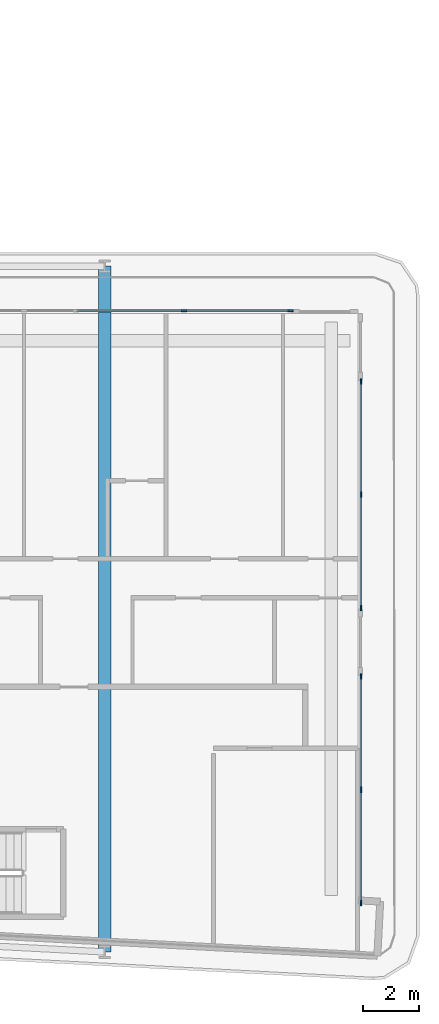
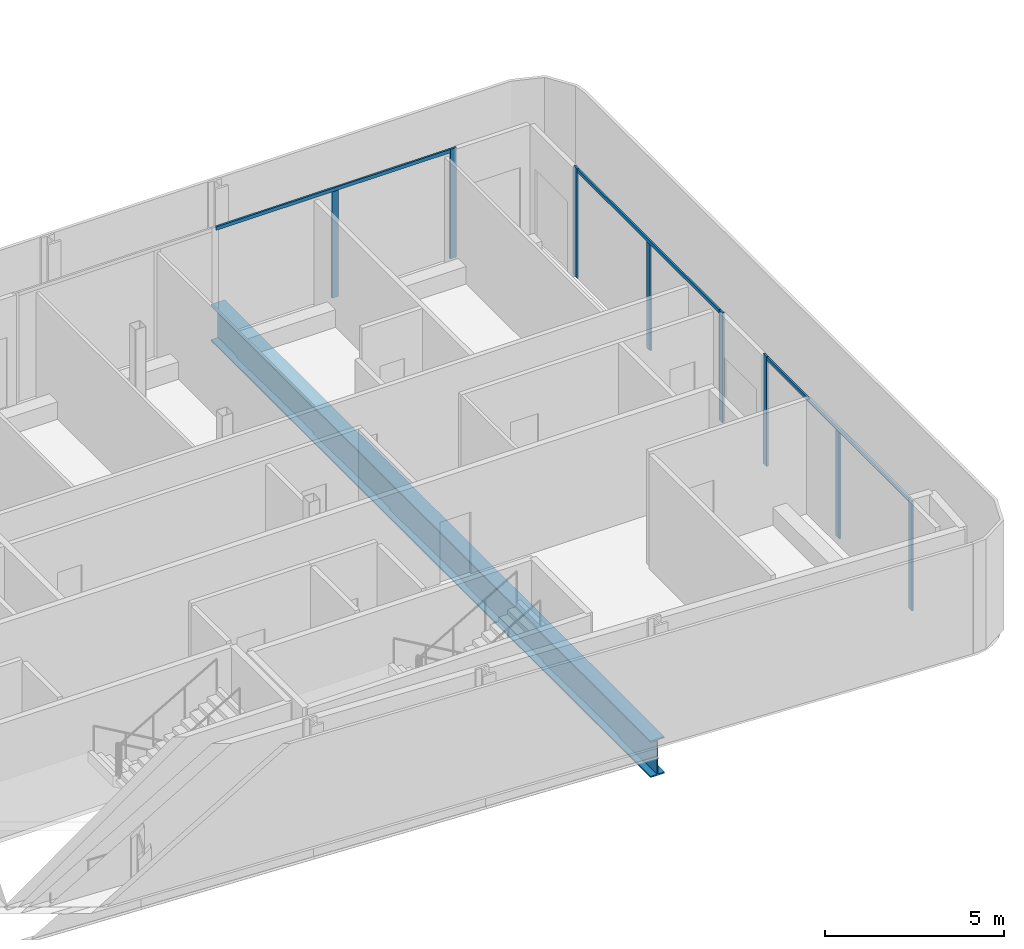
# One storey, part 8 of 27: 11 members, 1 beam, 3 elements without a shape of their own.
"""IFC4 building model written with IfcOpenShell, lengths in metres."""

from ifc_helpers import new_model, si_unit, direction, frame, origin, origin_2d, place, context, subcontext, project, spatial, rectangle, i_section, extrude, material, layer, layer_set, material_profile, profile_set, type_object, element, aggregate, save


model = new_model("IFC4")

# Units and contexts
model_context = context("Model", 3, precision=1e-05, world=origin(), true_north=direction((0.0, 1.0)))
body_context = subcontext(model_context, "Body", "Model", "MODEL_VIEW")
ifc_project = project(units=[si_unit("LENGTHUNIT", "METRE"), si_unit("AREAUNIT", "SQUARE_METRE"), si_unit("VOLUMEUNIT", "CUBIC_METRE"), si_unit("PLANEANGLEUNIT", "RADIAN"), si_unit("MASSUNIT", "GRAM", prefix="KILO")], contexts=[model_context])

# Site, building, storey
site_placement = place(None, origin())
site = spatial("IfcSite", under=ifc_project, at=site_placement, CompositionType="ELEMENT")
building_placement = place(site_placement, origin())
building = spatial("IfcBuilding", under=site, at=building_placement, Name="Kheshtan School and Residences Tower", CompositionType="ELEMENT")
storey_placement = place(building_placement, frame((0.0, 0.0, 98.0)))
storey = spatial("IfcBuildingStorey", under=building, at=storey_placement, Name="L22", CompositionType="ELEMENT", Elevation=98.0)

# Curtain wall, members
ifc_material_1 = material(Name="Clear low-e glass in thermally broken aluminium frame", Category="aluminium")
ifc_layer = layer(ifc_material_1, 0.199951171875)
ifc_layer_set = layer_set([ifc_layer], Name="Curtain wall CW-L")
curtain_wall_type = type_object("IfcCurtainWallType", Name="Curtain wall CW-L", PredefinedType="NOTDEFINED", material=ifc_layer_set)
curtain_wall_1_placement = place(storey_placement, origin())
curtain_wall_1 = element("IfcCurtainWall", 1, at=curtain_wall_1_placement, inside=storey, type_object=curtain_wall_type, Name="Curtain wall CWL8", PredefinedType="NOTDEFINED")
ifc_material_2 = material(Name="Thermally broken aluminium, dark bronze anodised", Category="aluminium")
ifc_material_profile_1 = material_profile(ifc_material_2, rectangle(XDim=0.06005859375, YDim=0.199951171875, at=origin_2d()), Name="CW-L mullion 60x200")
ifc_profile_set_1 = profile_set([ifc_material_profile_1], Name="Thermally broken aluminium, dark bronze anodised")
member_type_1 = type_object("IfcMemberType", Name="CW-L mullion 60x200", PredefinedType="MULLION", material=ifc_profile_set_1)
member_1_placement = place(storey_placement, frame((93.653076171875, 44.0, 0.0), z_axis=(0.0, 0.0, 1.0), x_axis=(0.0, 1.0, 0.0)))
member_1 = element("IfcMember", 2, at=member_1_placement, type_object=member_type_1, Name="CWL8 mullion 2", PredefinedType="MULLION", context=body_context, shape_type="SweptSolid", body=[
    extrude(rectangle(XDim=0.06005859375, YDim=0.199951171875, at=origin_2d()), origin(), (0.0, 0.0, 1.0), 3.6298828125),
])
member_2_placement = place(storey_placement, frame((97.469970703125, 44.0, 0.0), z_axis=(0.0, 0.0, 1.0), x_axis=(0.0, 1.0, 0.0)))
member_2 = element("IfcMember", 3, at=member_2_placement, type_object=member_type_1, Name="CWL8 mullion 3", PredefinedType="MULLION", context=body_context, shape_type="SweptSolid", body=[
    extrude(rectangle(XDim=0.06005859375, YDim=0.199951171875, at=origin_2d()), origin(), (0.0, 0.0, 1.0), 3.75),
])

curtain_wall_2_placement = place(storey_placement, origin())
curtain_wall_2 = element("IfcCurtainWall", 4, at=curtain_wall_2_placement, inside=storey, type_object=curtain_wall_type, Name="Curtain wall CWL9", PredefinedType="NOTDEFINED")
member_3_placement = place(storey_placement, frame((100.0, 41.469970703125, 0.0), z_axis=(0.0, 0.0, 1.0), x_axis=(1.0, 0.0, 0.0)))
member_3 = element("IfcMember", 5, at=member_3_placement, type_object=member_type_1, Name="CWL9 mullion 1", PredefinedType="MULLION", context=body_context, shape_type="SweptSolid", body=[
    extrude(rectangle(XDim=0.06005859375, YDim=0.199951171875, at=origin_2d()), origin(), (0.0, 0.0, 1.0), 3.75),
])
member_4_placement = place(storey_placement, frame((100.0, 37.403564453125, 0.0), z_axis=(0.0, 0.0, 1.0), x_axis=(1.0, 0.0, 0.0)))
member_4 = element("IfcMember", 6, at=member_4_placement, type_object=member_type_1, Name="CWL9 mullion 2", PredefinedType="MULLION", context=body_context, shape_type="SweptSolid", body=[
    extrude(rectangle(XDim=0.06005859375, YDim=0.199951171875, at=origin_2d()), origin(), (0.0, 0.0, 1.0), 3.6298828125),
])
member_5_placement = place(storey_placement, frame((100.0, 33.3369140625, 0.0), z_axis=(0.0, 0.0, 1.0), x_axis=(1.0, 0.0, 0.0)))
member_5 = element("IfcMember", 7, at=member_5_placement, type_object=member_type_1, Name="CWL9 mullion 3", PredefinedType="MULLION", context=body_context, shape_type="SweptSolid", body=[
    extrude(rectangle(XDim=0.06005859375, YDim=0.199951171875, at=origin_2d()), origin(), (0.0, 0.0, 1.0), 3.75),
])

curtain_wall_3_placement = place(storey_placement, origin())
curtain_wall_3 = element("IfcCurtainWall", 8, at=curtain_wall_3_placement, inside=storey, type_object=curtain_wall_type, Name="Curtain wall CWL9", PredefinedType="NOTDEFINED")
member_6_placement = place(storey_placement, frame((100.0, 30.876953125, 0.0), z_axis=(0.0, 0.0, 1.0), x_axis=(1.0, 0.0, 0.0)))
member_6 = element("IfcMember", 9, at=member_6_placement, type_object=member_type_1, Name="CWL9 mullion 1", PredefinedType="MULLION", context=body_context, shape_type="SweptSolid", body=[
    extrude(rectangle(XDim=0.06005859375, YDim=0.199951171875, at=origin_2d()), origin(), (0.0, 0.0, 1.0), 3.75),
])
member_7_placement = place(storey_placement, frame((100.0, 26.810546875, 0.0), z_axis=(0.0, 0.0, 1.0), x_axis=(1.0, 0.0, 0.0)))
member_7 = element("IfcMember", 10, at=member_7_placement, type_object=member_type_1, Name="CWL9 mullion 2", PredefinedType="MULLION", context=body_context, shape_type="SweptSolid", body=[
    extrude(rectangle(XDim=0.06005859375, YDim=0.199951171875, at=origin_2d()), origin(), (0.0, 0.0, 1.0), 3.6298828125),
])
member_8_placement = place(storey_placement, frame((100.0, 22.743896484375, 0.0), z_axis=(0.0, 0.0, 1.0), x_axis=(1.0, 0.0, 0.0)))
member_8 = element("IfcMember", 11, at=member_8_placement, type_object=member_type_1, Name="CWL9 mullion 3", PredefinedType="MULLION", context=body_context, shape_type="SweptSolid", body=[
    extrude(rectangle(XDim=0.06005859375, YDim=0.199951171875, at=origin_2d()), origin(), (0.0, 0.0, 1.0), 3.75),
])

# Member
ifc_material_profile_2 = material_profile(ifc_material_2, rectangle(XDim=0.06005859375, YDim=0.1201171875, at=origin_2d()), Name="CW-L transom 60x120")
ifc_profile_set_2 = profile_set([ifc_material_profile_2], Name="Thermally broken aluminium, dark bronze anodised")
member_type_2 = type_object("IfcMemberType", Name="CW-L transom 60x120", PredefinedType="USERDEFINED", material=ifc_profile_set_2)
member_9_placement = place(storey_placement, frame((89.805908203125, 44.0, 3.68994140625), z_axis=(1.0, 0.0, 0.0), x_axis=(0.0, 1.0, 0.0)))
member_9 = element("IfcMember", 12, at=member_9_placement, type_object=member_type_2, Name="CWL8 transom 1", ObjectType="TRANSOM", PredefinedType="USERDEFINED", context=body_context, shape_type="SweptSolid", body=[
    extrude(rectangle(XDim=0.06005859375, YDim=0.1201171875, at=origin_2d()), origin(), (0.0, 0.0, 1.0), 7.634033203125),
])

aggregate(curtain_wall_1, [member_1, member_2, member_9])

member_10_placement = place(storey_placement, frame((100.0, 41.43994140625, 3.68994140625), z_axis=(0.0, -1.0, 0.0), x_axis=(1.0, 0.0, 0.0)))
member_10 = element("IfcMember", 13, at=member_10_placement, type_object=member_type_2, Name="CWL9 transom 1", ObjectType="TRANSOM", PredefinedType="USERDEFINED", context=body_context, shape_type="SweptSolid", body=[
    extrude(rectangle(XDim=0.06005859375, YDim=0.1201171875, at=origin_2d()), origin(), (0.0, 0.0, 1.0), 8.072998046875),
])

aggregate(curtain_wall_2, [member_3, member_4, member_5, member_10])

member_11_placement = place(storey_placement, frame((100.0, 30.846923828125, 3.68994140625), z_axis=(0.0, -1.0, 0.0), x_axis=(1.0, 0.0, 0.0)))
member_11 = element("IfcMember", 14, at=member_11_placement, type_object=member_type_2, Name="CWL9 transom 1", ObjectType="TRANSOM", PredefinedType="USERDEFINED", context=body_context, shape_type="SweptSolid", body=[
    extrude(rectangle(XDim=0.06005859375, YDim=0.1201171875, at=origin_2d()), origin(), (0.0, 0.0, 1.0), 8.072998046875),
])

aggregate(curtain_wall_3, [member_6, member_7, member_8, member_11])

# Beam
ifc_material_3 = material(Name="Steel ASTM A992 Grade 50", Category="steel")
ifc_material_profile_3 = material_profile(ifc_material_3, i_section(OverallWidth=0.449951171875, OverallDepth=1.25, WebThickness=0.02490234375, FlangeThickness=0.044921875, FilletRadius=0.03759765625, at=origin_2d()), Name="WWF1250x546")
ifc_profile_set_3 = profile_set([ifc_material_profile_3], Name="Steel ASTM A992 Grade 50")
beam_type = type_object("IfcBeamType", Name="Transfer girder TG4 WWF1250x546 ASTM A992 Grade 50", PredefinedType="BEAM", material=ifc_profile_set_3)
beam_placement = place(storey_placement, frame((90.800048828125, 45.60009765625, -0.77490234375), z_axis=(0.0, -1.0, 0.0), x_axis=(1.0, 0.0, 0.0)))
element("IfcBeam", 15, at=beam_placement, inside=storey, type_object=beam_type, Name="Transfer girder C068-C006", PredefinedType="BEAM", context=body_context, shape_type="SweptSolid", body=[
    extrude(i_section(OverallWidth=0.449951171875, OverallDepth=1.25, WebThickness=0.02490234375, FlangeThickness=0.044921875, FilletRadius=0.03759765625, at=origin_2d()), origin(), (0.0, 0.0, 1.0), 24.610107421875),
])

save(model, "model.ifc")
